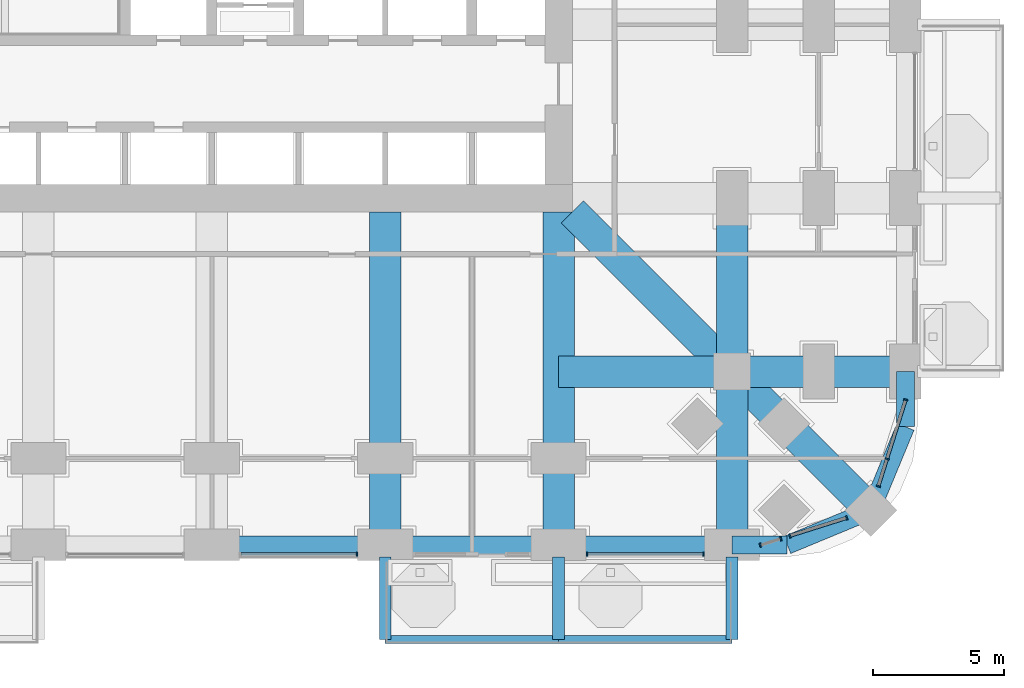
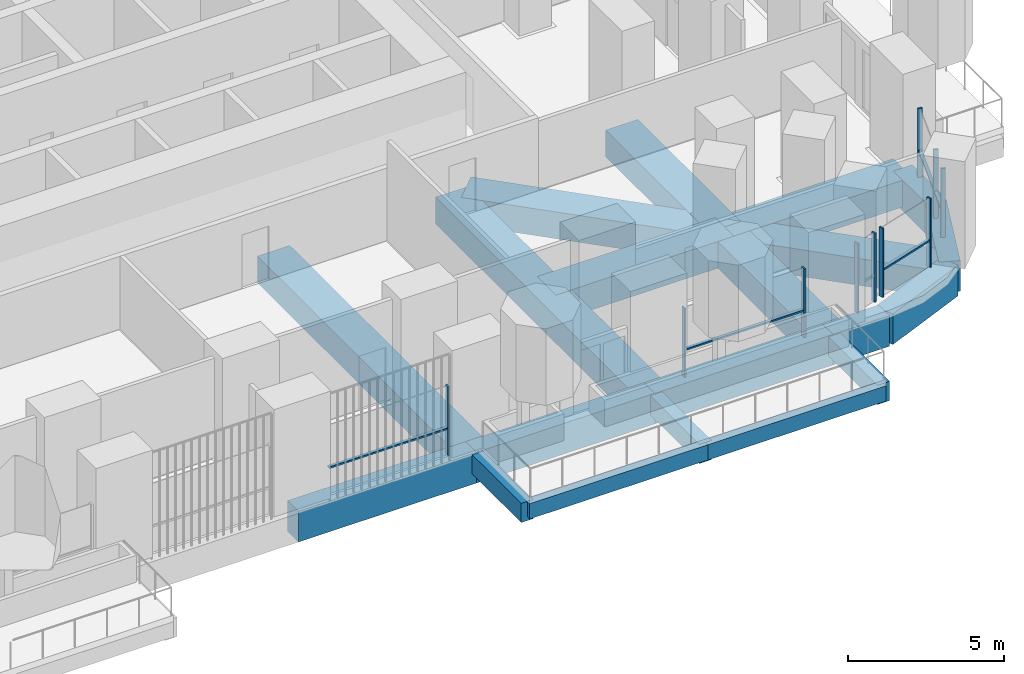
# One storey, part 5 of 27: 20 beams, 15 members, 5 elements without a shape of their own.
"""IFC4 building model written with IfcOpenShell, lengths in metres."""

from ifc_helpers import new_model, si_unit, direction, frame, origin, origin_2d, place, context, subcontext, project, spatial, rectangle, extrude, material, material_profile, profile_set, type_object, element, aggregate, save


model = new_model("IFC4")

# Units and contexts
model_context = context("Model", 3, precision=1e-05, world=origin(), true_north=direction((0.0, 1.0)))
body_context = subcontext(model_context, "Body", "Model", "MODEL_VIEW")
ifc_project = project(units=[si_unit("LENGTHUNIT", "METRE"), si_unit("AREAUNIT", "SQUARE_METRE"), si_unit("VOLUMEUNIT", "CUBIC_METRE"), si_unit("PLANEANGLEUNIT", "RADIAN"), si_unit("MASSUNIT", "GRAM", prefix="KILO")], contexts=[model_context])

# Site, building, storey
site_placement = place(None, origin())
site = spatial("IfcSite", under=ifc_project, at=site_placement, CompositionType="ELEMENT")
building_placement = place(site_placement, origin())
building = spatial("IfcBuilding", under=site, at=building_placement, Name="Cobogo Forest Laboratory Tower", CompositionType="ELEMENT")
storey_placement = place(building_placement, frame((0.0, 0.0, 29.699951171875)))
storey = spatial("IfcBuildingStorey", under=building, at=storey_placement, Name="L06", CompositionType="ELEMENT", Elevation=29.699951171875)

# Beams
ifc_material_1 = material(Name="Concrete HA-40 (C40/50)", Category="concrete")
ifc_material_profile_1 = material_profile(ifc_material_1, rectangle(XDim=0.449951171875, YDim=0.75, at=origin_2d()), Name="RC 450x750")
ifc_profile_set_1 = profile_set([ifc_material_profile_1], Name="Concrete HA-40 (C40/50)")
beam_type_1 = type_object("IfcBeamType", Name="Balcony cantilever beam 450x750", PredefinedType="BEAM", material=ifc_profile_set_1)
for number, where, z_axis, x_axis, name in (
    (1, (33.0, -0.449951171875, -0.625), (0.0, -1.0, 0.0), (1.0, 0.0, 0.0), "CB1 BAL-S2-C1 L06"),
    (2, (39.60009765625, -0.449951171875, -0.625), (0.0, -1.0, 0.0), (1.0, 0.0, 0.0), "CB1 BAL-S2-C2 L06"),
    (3, (46.199951171875, -0.449951171875, -0.625), (0.0, -1.0, 0.0), (1.0, 0.0, 0.0), "CB1 BAL-S2-C3 L06"),
):
    element("IfcBeam", number, at=place(storey_placement, frame(where, z_axis=z_axis, x_axis=x_axis)), inside=storey, type_object=beam_type_1, Name=name, PredefinedType="BEAM", context=body_context, shape_type="SweptSolid", body=[
        extrude(rectangle(XDim=0.449951171875, YDim=0.75, at=origin_2d()), origin(), (0.0, 0.0, 1.0), 3.150146484375),
    ])
ifc_material_profile_2 = material_profile(ifc_material_1, rectangle(XDim=0.300048828125, YDim=0.60009765625, at=origin_2d()), Name="RC 300x600")
ifc_profile_set_2 = profile_set([ifc_material_profile_2], Name="Concrete HA-40 (C40/50)")
beam_type_2 = type_object("IfcBeamType", Name="Balcony edge beam 300x600", PredefinedType="BEAM", material=ifc_profile_set_2)
beam_1_placement = place(storey_placement, frame((33.0, -3.60009765625, -0.550048828125), z_axis=(1.0, 0.0, 0.0), x_axis=(0.0, 1.0, 0.0)))
element("IfcBeam", 4, at=beam_1_placement, inside=storey, type_object=beam_type_2, Name="BB1 BAL-S2-T1 L06", PredefinedType="BEAM", context=body_context, shape_type="SweptSolid", body=[
    extrude(rectangle(XDim=0.300048828125, YDim=0.60009765625, at=origin_2d()), origin(), (0.0, 0.0, 1.0), 6.60009765625),
])
beam_2_placement = place(storey_placement, frame((39.60009765625, -3.60009765625, -0.550048828125), z_axis=(1.0, 0.0, 0.0), x_axis=(0.0, 1.0, 0.0)))
element("IfcBeam", 5, at=beam_2_placement, inside=storey, type_object=beam_type_2, Name="BB1 BAL-S2-T2 L06", PredefinedType="BEAM", context=body_context, shape_type="SweptSolid", body=[
    extrude(rectangle(XDim=0.300048828125, YDim=0.60009765625, at=origin_2d()), origin(), (0.0, 0.0, 1.0), 6.599853515625),
])
ifc_material_profile_3 = material_profile(ifc_material_1, rectangle(XDim=1.199951171875, YDim=1.050048828125, at=origin_2d()), Name="RC 1200x1050")
ifc_profile_set_3 = profile_set([ifc_material_profile_3], Name="Concrete HA-40 (C40/50)")
beam_type_3 = type_object("IfcBeamType", Name="Laboratory floor wide beam 1200x1050", PredefinedType="BEAM", material=ifc_profile_set_3)
for number, where, z_axis, x_axis, name in (
    (6, (33.0, 12.675048828125, -0.824951171875), (0.0, -1.0, 0.0), (1.0, 0.0, 0.0), "RB1 R-6-S L06"),
    (7, (39.60009765625, 12.675048828125, -0.824951171875), (0.0, -1.0, 0.0), (1.0, 0.0, 0.0), "RB1 R-7-S L06"),
):
    element("IfcBeam", number, at=place(storey_placement, frame(where, z_axis=z_axis, x_axis=x_axis)), inside=storey, type_object=beam_type_3, Name=name, PredefinedType="BEAM", context=body_context, shape_type="SweptSolid", body=[
        extrude(rectangle(XDim=1.199951171875, YDim=1.050048828125, at=origin_2d()), origin(), (0.0, 0.0, 1.0), 12.675048828125),
    ])
beam_3_placement = place(storey_placement, frame((46.199951171875, 0.0, -0.824951171875), z_axis=(0.0, 1.0, 0.0), x_axis=(-1.0, 0.0, 0.0)))
element("IfcBeam", 8, at=beam_3_placement, inside=storey, type_object=beam_type_3, Name="RB1 G-SE-XF L06", PredefinedType="BEAM", context=body_context, shape_type="SweptSolid", body=[
    extrude(rectangle(XDim=1.199951171875, YDim=1.050048828125, at=origin_2d()), origin(), (0.0, 0.0, 1.0), 6.60009765625),
])
beam_4_placement = place(storey_placement, frame((46.199951171875, 6.60009765625, -0.824951171875), z_axis=(0.0, 1.0, 0.0), x_axis=(-1.0, 0.0, 0.0)))
element("IfcBeam", 9, at=beam_4_placement, inside=storey, type_object=beam_type_3, Name="RB1 G-SE-XC L06", PredefinedType="BEAM", context=body_context, shape_type="SweptSolid", body=[
    extrude(rectangle(XDim=1.199951171875, YDim=1.050048828125, at=origin_2d()), origin(), (0.0, 0.0, 1.0), 6.599853515625),
])
beam_5_placement = place(storey_placement, frame((52.800048828125, 6.60009765625, -0.824951171875), z_axis=(-1.0, 0.0, 0.0), x_axis=(0.0, -1.0, 0.0)))
element("IfcBeam", 10, at=beam_5_placement, inside=storey, type_object=beam_type_3, Name="RB1 G-SE-YF L06", PredefinedType="BEAM", context=body_context, shape_type="SweptSolid", body=[
    extrude(rectangle(XDim=1.199951171875, YDim=1.050048828125, at=origin_2d()), origin(), (0.0, 0.0, 1.0), 6.60009765625),
])
beam_6_placement = place(storey_placement, frame((46.199951171875, 6.60009765625, -0.824951171875), z_axis=(-1.0, 0.0, 0.0), x_axis=(0.0, -1.0, 0.0)))
element("IfcBeam", 11, at=beam_6_placement, inside=storey, type_object=beam_type_3, Name="RB1 G-SE-YC L06", PredefinedType="BEAM", context=body_context, shape_type="SweptSolid", body=[
    extrude(rectangle(XDim=1.199951171875, YDim=1.050048828125, at=origin_2d()), origin(), (0.0, 0.0, 1.0), 6.599853515625),
])
beam_7_placement = place(storey_placement, frame((51.48193359375, 1.318115234375, -0.824951171875), z_axis=(-0.707106781187, 0.707106781187, 0.0), x_axis=(-0.707106781187, -0.707106781187, 0.0)))
element("IfcBeam", 12, at=beam_7_placement, inside=storey, type_object=beam_type_3, Name="RB1 G-SE-D1 L06", PredefinedType="BEAM", context=body_context, shape_type="SweptSolid", body=[
    extrude(rectangle(XDim=1.199951171875, YDim=1.050048828125, at=origin_2d()), origin(), (0.0, 0.0, 1.0), 7.469970703125),
])
beam_8_placement = place(storey_placement, frame((46.199951171875, 6.60009765625, -0.824951171875), z_axis=(-0.707106781187, 0.707106781187, 0.0), x_axis=(-0.707106781187, -0.707106781187, 0.0)))
element("IfcBeam", 13, at=beam_8_placement, inside=storey, type_object=beam_type_3, Name="RB1 G-SE-D2 L06", PredefinedType="BEAM", context=body_context, shape_type="SweptSolid", body=[
    extrude(rectangle(XDim=1.199951171875, YDim=1.050048828125, at=origin_2d()), origin(), (0.0, 0.0, 1.0), 8.59130859375),
])

# Curtain wall, member
ifc_material_2 = material(Name="Aluminium curtain wall", Category="aluminium")
curtain_wall_type = type_object("IfcCurtainWallType", Name="CW-1 unitised curtain wall, clear glazing, laboratory floors zones A and B", PredefinedType="USERDEFINED", material=ifc_material_2)
curtain_wall_1_placement = place(storey_placement, origin())
curtain_wall_1 = element("IfcCurtainWall", 14, at=curtain_wall_1_placement, inside=storey, type_object=curtain_wall_type, Name="Curtain wall 04 L06", ObjectType="UNITISED CURTAIN WALL", PredefinedType="USERDEFINED")
ifc_material_3 = material(Name="Aluminium mullion", Category="aluminium")
ifc_material_profile_4 = material_profile(ifc_material_3, rectangle(XDim=0.06005859375, YDim=0.159912109375, at=origin_2d()), Name="AL 60x160")
ifc_profile_set_4 = profile_set([ifc_material_profile_4], Name="Aluminium mullion")
member_type_1 = type_object("IfcMemberType", Name="MU-1 aluminium mullion 60x160", PredefinedType="MULLION", material=ifc_profile_set_4)
member_1_placement = place(storey_placement, frame((31.919921875, -0.35009765625, 0.0), z_axis=(0.0, 0.0, 1.0), x_axis=(1.0, 0.0, 0.0)))
member_1 = element("IfcMember", 15, at=member_1_placement, type_object=member_type_1, Name="CW-1 mullion 2", PredefinedType="MULLION", context=body_context, shape_type="SweptSolid", body=[
    extrude(rectangle(XDim=0.06005859375, YDim=0.159912109375, at=origin_2d()), origin(), (0.0, 0.0, 1.0), 2.699951171875),
])

# Curtain wall, members
curtain_wall_2_placement = place(storey_placement, origin())
curtain_wall_2 = element("IfcCurtainWall", 16, at=curtain_wall_2_placement, inside=storey, type_object=curtain_wall_type, Name="Curtain wall 06 L06", ObjectType="UNITISED CURTAIN WALL", PredefinedType="USERDEFINED")
member_2_placement = place(storey_placement, frame((40.679931640625, -0.35009765625, 0.0), z_axis=(0.0, 0.0, 1.0), x_axis=(1.0, 0.0, 0.0)))
member_2 = element("IfcMember", 17, at=member_2_placement, type_object=member_type_1, Name="CW-1 mullion 1", PredefinedType="MULLION", context=body_context, shape_type="SweptSolid", body=[
    extrude(rectangle(XDim=0.06005859375, YDim=0.159912109375, at=origin_2d()), origin(), (0.0, 0.0, 1.0), 2.699951171875),
])
member_3_placement = place(storey_placement, frame((45.1201171875, -0.35009765625, 0.0), z_axis=(0.0, 0.0, 1.0), x_axis=(1.0, 0.0, 0.0)))
member_3 = element("IfcMember", 18, at=member_3_placement, type_object=member_type_1, Name="CW-1 mullion 2", PredefinedType="MULLION", context=body_context, shape_type="SweptSolid", body=[
    extrude(rectangle(XDim=0.06005859375, YDim=0.159912109375, at=origin_2d()), origin(), (0.0, 0.0, 1.0), 2.699951171875),
])

curtain_wall_3_placement = place(storey_placement, origin())
curtain_wall_3 = element("IfcCurtainWall", 19, at=curtain_wall_3_placement, inside=storey, type_object=curtain_wall_type, Name="Curtain wall 07 L06", ObjectType="UNITISED CURTAIN WALL", PredefinedType="USERDEFINED")
member_4_placement = place(storey_placement, frame((47.278564453125, -0.00927734375, 0.0), z_axis=(0.0, 0.0, 1.0), x_axis=(0.953581504428, 0.301135043481, 0.0)))
member_4 = element("IfcMember", 20, at=member_4_placement, type_object=member_type_1, Name="CW-1 mullion 1", PredefinedType="MULLION", context=body_context, shape_type="SweptSolid", body=[
    extrude(rectangle(XDim=0.06005859375, YDim=0.159912109375, at=origin_2d()), origin(), (0.0, 0.0, 1.0), 2.699951171875),
])
member_5_placement = place(storey_placement, frame((48.05322265625, 0.2353515625, 0.0), z_axis=(0.0, 0.0, 1.0), x_axis=(0.953581504428, 0.301135043481, 0.0)))
member_5 = element("IfcMember", 21, at=member_5_placement, type_object=member_type_1, Name="CW-1 mullion 2", PredefinedType="MULLION", context=body_context, shape_type="SweptSolid", body=[
    extrude(rectangle(XDim=0.06005859375, YDim=0.159912109375, at=origin_2d()), origin(), (0.0, 0.0, 1.0), 2.699951171875),
])
aggregate(curtain_wall_3, [member_4, member_5])

curtain_wall_4_placement = place(storey_placement, origin())
curtain_wall_4 = element("IfcCurtainWall", 22, at=curtain_wall_4_placement, inside=storey, type_object=curtain_wall_type, Name="Curtain wall 08 L06", ObjectType="UNITISED CURTAIN WALL", PredefinedType="USERDEFINED")
member_6_placement = place(storey_placement, frame((48.403076171875, 0.345703125, 0.0), z_axis=(0.0, 0.0, 1.0), x_axis=(0.953581409645, 0.301135343623, 0.0)))
member_6 = element("IfcMember", 23, at=member_6_placement, type_object=member_type_1, Name="CW-1 mullion 1", PredefinedType="MULLION", context=body_context, shape_type="SweptSolid", body=[
    extrude(rectangle(XDim=0.06005859375, YDim=0.159912109375, at=origin_2d()), origin(), (0.0, 0.0, 1.0), 2.699951171875),
])
member_7_placement = place(storey_placement, frame((50.561279296875, 1.02734375, 0.0), z_axis=(0.0, 0.0, 1.0), x_axis=(0.953581409645, 0.301135343623, 0.0)))
member_7 = element("IfcMember", 24, at=member_7_placement, type_object=member_type_1, Name="CW-1 mullion 2", PredefinedType="MULLION", context=body_context, shape_type="SweptSolid", body=[
    extrude(rectangle(XDim=0.06005859375, YDim=0.159912109375, at=origin_2d()), origin(), (0.0, 0.0, 1.0), 2.699951171875),
])

curtain_wall_5_placement = place(storey_placement, origin())
curtain_wall_5 = element("IfcCurtainWall", 25, at=curtain_wall_5_placement, inside=storey, type_object=curtain_wall_type, Name="Curtain wall 09 L06", ObjectType="UNITISED CURTAIN WALL", PredefinedType="USERDEFINED")
member_8_placement = place(storey_placement, frame((51.772705078125, 2.23876953125, 0.0), z_axis=(0.0, 0.0, 1.0), x_axis=(0.30113535792, 0.95358140513, 0.0)))
member_8 = element("IfcMember", 26, at=member_8_placement, type_object=member_type_1, Name="CW-1 mullion 1", PredefinedType="MULLION", context=body_context, shape_type="SweptSolid", body=[
    extrude(rectangle(XDim=0.06005859375, YDim=0.159912109375, at=origin_2d()), origin(), (0.0, 0.0, 1.0), 2.699951171875),
])
member_9_placement = place(storey_placement, frame((52.100341796875, 3.27587890625, 0.0), z_axis=(0.0, 0.0, 1.0), x_axis=(0.30113535792, 0.95358140513, 0.0)))
member_9 = element("IfcMember", 27, at=member_9_placement, type_object=member_type_1, Name="CW-1 mullion 2", PredefinedType="MULLION", context=body_context, shape_type="SweptSolid", body=[
    extrude(rectangle(XDim=0.06005859375, YDim=0.159912109375, at=origin_2d()), origin(), (0.0, 0.0, 1.0), 2.699951171875),
])
member_10_placement = place(storey_placement, frame((52.809326171875, 5.521484375, 0.0), z_axis=(0.0, 0.0, 1.0), x_axis=(0.30113535792, 0.95358140513, 0.0)))
member_10 = element("IfcMember", 28, at=member_10_placement, type_object=member_type_1, Name="CW-1 mullion 3", PredefinedType="MULLION", context=body_context, shape_type="SweptSolid", body=[
    extrude(rectangle(XDim=0.06005859375, YDim=0.159912109375, at=origin_2d()), origin(), (0.0, 0.0, 1.0), 2.699951171875),
])

# Beams
ifc_material_profile_5 = material_profile(ifc_material_1, rectangle(XDim=0.699951171875, YDim=1.199951171875, at=origin_2d()), Name="RC 700x1200")
ifc_profile_set_5 = profile_set([ifc_material_profile_5], Name="Concrete HA-40 (C40/50)")
beam_type_4 = type_object("IfcBeamType", Name="Perimeter edge beam 700x1200", PredefinedType="BEAM", material=ifc_profile_set_5)
for number, where, z_axis, x_axis, name in (
    (29, (26.39990234375, 0.0, -0.89990234375), (1.0, 0.0, 0.0), (0.0, 1.0, 0.0), "EB1 E-S4 L06"),
    (30, (33.0, 0.0, -0.89990234375), (1.0, 0.0, 0.0), (0.0, 1.0, 0.0), "EB1 E-S5 L06"),
):
    element("IfcBeam", number, at=place(storey_placement, frame(where, z_axis=z_axis, x_axis=x_axis)), inside=storey, type_object=beam_type_4, Name=name, PredefinedType="BEAM", context=body_context, shape_type="SweptSolid", body=[
        extrude(rectangle(XDim=0.699951171875, YDim=1.199951171875, at=origin_2d()), origin(), (0.0, 0.0, 1.0), 6.60009765625),
    ])
beam_9_placement = place(storey_placement, frame((39.60009765625, 0.0, -0.89990234375), z_axis=(1.0, 0.0, 0.0), x_axis=(0.0, 1.0, 0.0)))
element("IfcBeam", 31, at=beam_9_placement, inside=storey, type_object=beam_type_4, Name="EB1 E-S6 L06", PredefinedType="BEAM", context=body_context, shape_type="SweptSolid", body=[
    extrude(rectangle(XDim=0.699951171875, YDim=1.199951171875, at=origin_2d()), origin(), (0.0, 0.0, 1.0), 6.599853515625),
])
beam_10_placement = place(storey_placement, frame((46.199951171875, 0.0, -0.89990234375), z_axis=(1.0, 0.0, 0.0), x_axis=(0.0, 1.0, 0.0)))
element("IfcBeam", 32, at=beam_10_placement, inside=storey, type_object=beam_type_4, Name="EB1 E-SES1 L06", PredefinedType="BEAM", context=body_context, shape_type="SweptSolid", body=[
    extrude(rectangle(XDim=0.699951171875, YDim=1.199951171875, at=origin_2d()), origin(), (0.0, 0.0, 1.0), 2.10009765625),
])
beam_11_placement = place(storey_placement, frame((48.300048828125, 0.0, -0.89990234375), z_axis=(0.923865631356, 0.382716990999, 0.0), x_axis=(-0.382716990999, 0.923865631356, 0.0)))
element("IfcBeam", 33, at=beam_11_placement, inside=storey, type_object=beam_type_4, Name="EB1 E-SES2 L06", PredefinedType="BEAM", context=body_context, shape_type="SweptSolid", body=[
    extrude(rectangle(XDim=0.699951171875, YDim=1.199951171875, at=origin_2d()), origin(), (0.0, 0.0, 1.0), 3.444091796875),
])
beam_12_placement = place(storey_placement, frame((52.800048828125, 6.60009765625, -0.89990234375), z_axis=(0.0, -1.0, 0.0), x_axis=(1.0, 0.0, 0.0)))
element("IfcBeam", 34, at=beam_12_placement, inside=storey, type_object=beam_type_4, Name="EB1 E-SEE1 L06", PredefinedType="BEAM", context=body_context, shape_type="SweptSolid", body=[
    extrude(rectangle(XDim=0.699951171875, YDim=1.199951171875, at=origin_2d()), origin(), (0.0, 0.0, 1.0), 2.10009765625),
])
beam_13_placement = place(storey_placement, frame((52.800048828125, 4.5, -0.89990234375), z_axis=(-0.382716990999, -0.923865631356, 0.0), x_axis=(0.923865631356, -0.382716990999, 0.0)))
element("IfcBeam", 35, at=beam_13_placement, inside=storey, type_object=beam_type_4, Name="EB1 E-SEE2 L06", PredefinedType="BEAM", context=body_context, shape_type="SweptSolid", body=[
    extrude(rectangle(XDim=0.699951171875, YDim=1.199951171875, at=origin_2d()), origin(), (0.0, 0.0, 1.0), 3.444091796875),
])

# Member
ifc_material_4 = material(Name="Aluminium transom", Category="aluminium")
ifc_material_profile_6 = material_profile(ifc_material_4, rectangle(XDim=0.1201171875, YDim=0.06005859375, at=origin_2d()), Name="AL 60x120")
ifc_profile_set_6 = profile_set([ifc_material_profile_6], Name="Aluminium transom")
member_type_2 = type_object("IfcMemberType", Name="TR-1 aluminium transom 60x120", PredefinedType="USERDEFINED", material=ifc_profile_set_6)
member_11_placement = place(storey_placement, frame((27.510009765625, -0.35009765625, 1.050048828125), z_axis=(1.0, 0.0, 0.0), x_axis=(0.0, 1.0, 0.0)))
member_11 = element("IfcMember", 36, at=member_11_placement, type_object=member_type_2, Name="CW-1 transom 1.1", ObjectType="TRANSOM", PredefinedType="USERDEFINED", context=body_context, shape_type="SweptSolid", body=[
    extrude(rectangle(XDim=0.1201171875, YDim=0.06005859375, at=origin_2d()), origin(), (0.0, 0.0, 1.0), 4.3798828125),
])

aggregate(curtain_wall_1, [member_1, member_11])

member_12_placement = place(storey_placement, frame((40.7099609375, -0.35009765625, 1.050048828125), z_axis=(1.0, 0.0, 0.0), x_axis=(0.0, 1.0, 0.0)))
member_12 = element("IfcMember", 37, at=member_12_placement, type_object=member_type_2, Name="CW-1 transom 1.1", ObjectType="TRANSOM", PredefinedType="USERDEFINED", context=body_context, shape_type="SweptSolid", body=[
    extrude(rectangle(XDim=0.1201171875, YDim=0.06005859375, at=origin_2d()), origin(), (0.0, 0.0, 1.0), 4.380126953125),
])

aggregate(curtain_wall_2, [member_2, member_3, member_12])

member_13_placement = place(storey_placement, frame((48.431640625, 0.354736328125, 1.050048828125), z_axis=(0.953572616955, 0.301163185322, 0.0), x_axis=(-0.301163185322, 0.953572616955, 0.0)))
member_13 = element("IfcMember", 38, at=member_13_placement, type_object=member_type_2, Name="CW-1 transom 1.1", ObjectType="TRANSOM", PredefinedType="USERDEFINED", context=body_context, shape_type="SweptSolid", body=[
    extrude(rectangle(XDim=0.1201171875, YDim=0.06005859375, at=origin_2d()), origin(), (0.0, 0.0, 1.0), 2.203369140625),
])

aggregate(curtain_wall_4, [member_6, member_7, member_13])

member_14_placement = place(storey_placement, frame((51.78173828125, 2.267333984375, 1.050048828125), z_axis=(0.301222320394, 0.953553938535, 0.0), x_axis=(-0.953553938535, 0.301222320394, 0.0)))
member_14 = element("IfcMember", 39, at=member_14_placement, type_object=member_type_2, Name="CW-1 transom 1.1", ObjectType="TRANSOM", PredefinedType="USERDEFINED", context=body_context, shape_type="SweptSolid", body=[
    extrude(rectangle(XDim=0.1201171875, YDim=0.06005859375, at=origin_2d()), origin(), (0.0, 0.0, 1.0), 1.02783203125),
])

member_15_placement = place(storey_placement, frame((52.109375, 3.304443359375, 1.050048828125), z_axis=(0.301090633022, 0.953595527835, 0.0), x_axis=(-0.953595527835, 0.301090633022, 0.0)))
member_15 = element("IfcMember", 40, at=member_15_placement, type_object=member_type_2, Name="CW-1 transom 2.1", ObjectType="TRANSOM", PredefinedType="USERDEFINED", context=body_context, shape_type="SweptSolid", body=[
    extrude(rectangle(XDim=0.1201171875, YDim=0.06005859375, at=origin_2d()), origin(), (0.0, 0.0, 1.0), 2.294677734375),
])

aggregate(curtain_wall_5, [member_8, member_9, member_10, member_14, member_15])

save(model, "model.ifc")
